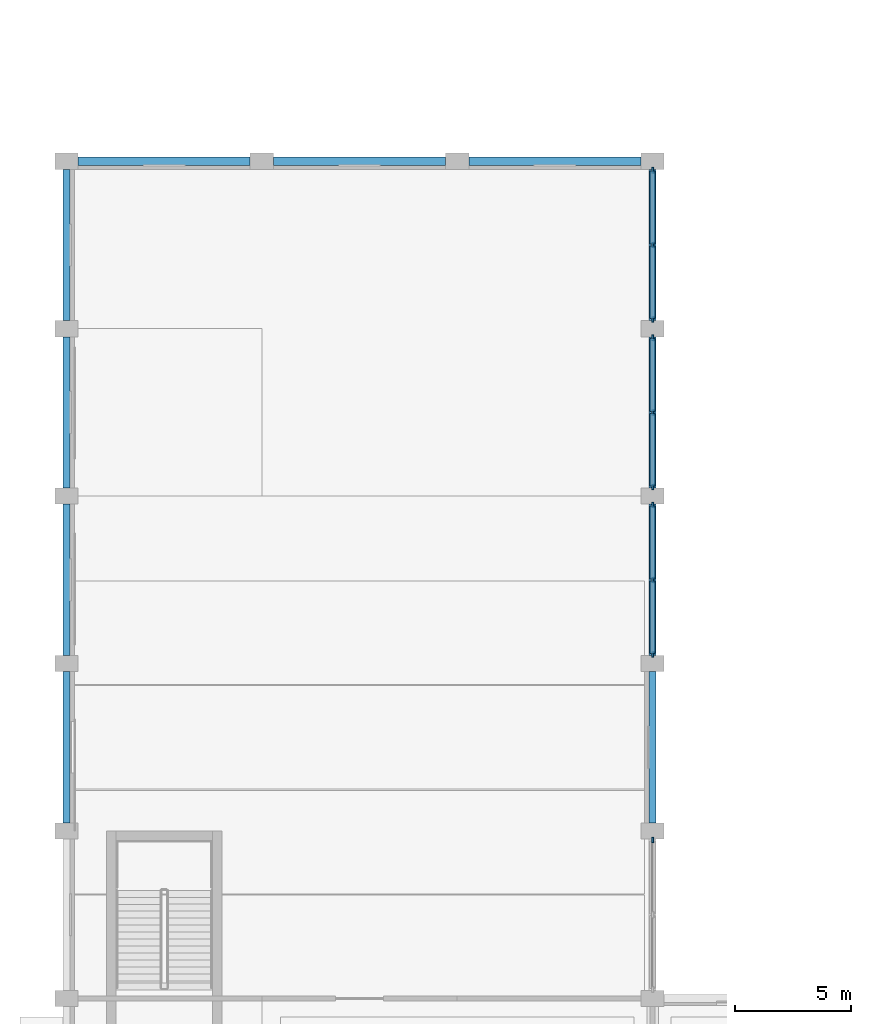
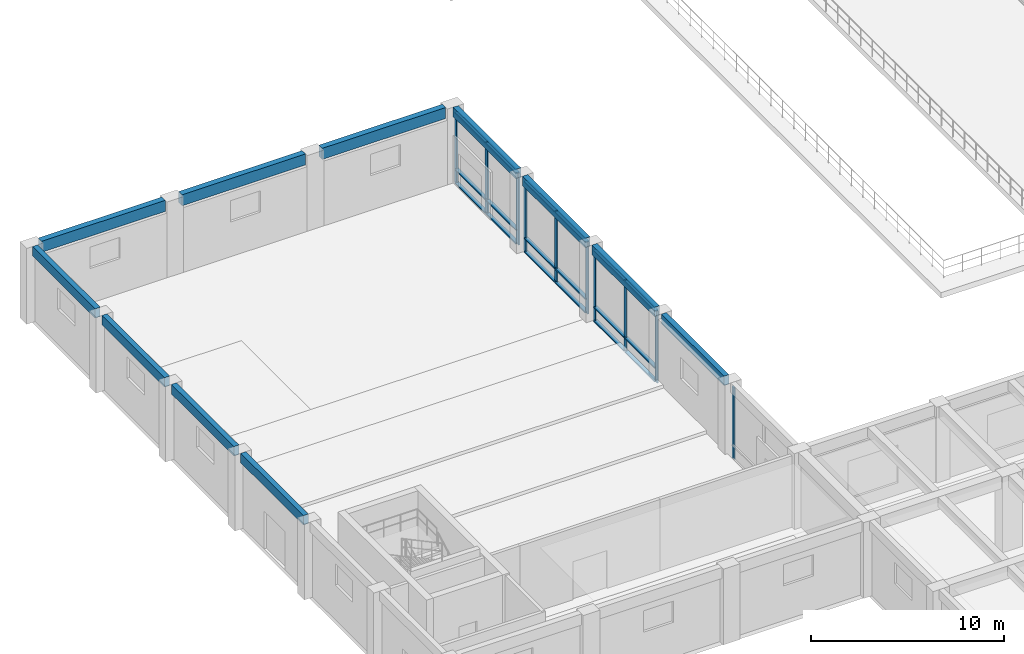
# One storey, part 6 of 49: 28 members, 11 beams, 4 elements without a shape of their own.
"""IFC4 building model written with IfcOpenShell, lengths in metres."""

from ifc_helpers import new_model, si_unit, direction, frame, origin, origin_2d, place, context, subcontext, project, spatial, rectangle, extrude, material, material_profile, profile_set, type_object, element, aggregate, save


model = new_model("IFC4")

# Units and contexts
model_context = context("Model", 3, precision=1e-05, world=origin(), true_north=direction((0.0, 1.0)))
body_context = subcontext(model_context, "Body", "Model", "MODEL_VIEW")
ifc_project = project(units=[si_unit("LENGTHUNIT", "METRE"), si_unit("AREAUNIT", "SQUARE_METRE"), si_unit("VOLUMEUNIT", "CUBIC_METRE"), si_unit("PLANEANGLEUNIT", "RADIAN"), si_unit("MASSUNIT", "GRAM", prefix="KILO")], contexts=[model_context])

# Site, building, storey
site_placement = place(None, origin())
site = spatial("IfcSite", under=ifc_project, at=site_placement, CompositionType="ELEMENT")
building_placement = place(site_placement, origin())
building = spatial("IfcBuilding", under=site, at=building_placement, Name="Kenerak Square Central Library", CompositionType="ELEMENT")
storey_placement = place(building_placement, origin())
storey = spatial("IfcBuildingStorey", under=building, at=storey_placement, Name="L00", CompositionType="ELEMENT", Elevation=0.0)

# Beams
ifc_material_1 = material(Name="Concrete C40/50", Category="concrete")
ifc_material_profile_1 = material_profile(ifc_material_1, rectangle(XDim=0.300048828125, YDim=0.60009765625, at=origin_2d()), Name="RC 300x600")
ifc_profile_set_1 = profile_set([ifc_material_profile_1], Name="Concrete C40/50")
beam_type_1 = type_object("IfcBeamType", Name="Courtyard Spandrel Beam SP-02 RC 300x600 C40/50", PredefinedType="SPANDREL", material=ifc_profile_set_1)
for number, where, z_axis, x_axis, name in (
    (1, (8.0, 45.949951171875, 4.5), (0.0, 1.0, 0.0), (-1.0, 0.0, 0.0), "Beam SP-02 L00 0593"),
    (2, (8.0, 53.14990234375, 4.5), (0.0, 1.0, 0.0), (-1.0, 0.0, 0.0), "Beam SP-02 L00 0594"),
    (3, (8.0, 60.35009765625, 4.5), (0.0, 1.0, 0.0), (-1.0, 0.0, 0.0), "Beam SP-02 L00 0595"),
    (4, (8.0, 67.550048828125, 4.5), (0.0, 1.0, 0.0), (-1.0, 0.0, 0.0), "Beam SP-02 L00 0596"),
    (5, (33.199951171875, 45.949951171875, 4.5), (0.0, 1.0, 0.0), (-1.0, 0.0, 0.0), "Beam SP-02 L00 0601"),
    (6, (33.199951171875, 53.14990234375, 4.5), (0.0, 1.0, 0.0), (-1.0, 0.0, 0.0), "Beam SP-02 L00 0602"),
    (7, (33.199951171875, 60.35009765625, 4.5), (0.0, 1.0, 0.0), (-1.0, 0.0, 0.0), "Beam SP-02 L00 0603"),
    (8, (33.199951171875, 67.550048828125, 4.5), (0.0, 1.0, 0.0), (-1.0, 0.0, 0.0), "Beam SP-02 L00 0604"),
):
    element("IfcBeam", number, at=place(storey_placement, frame(where, z_axis=z_axis, x_axis=x_axis)), inside=storey, type_object=beam_type_1, Name=name, PredefinedType="SPANDREL", context=body_context, shape_type="SweptSolid", body=[
        extrude(rectangle(XDim=0.300048828125, YDim=0.60009765625, at=origin_2d()), origin(), (0.0, 0.0, 1.0), 6.5),
    ])

# Curtain wall, members
ifc_material_2 = material(Name="Anodised aluminium and solar-control low-E glazing", Category="aluminium")
curtain_wall_type = type_object("IfcCurtainWallType", Name="Curtain Wall CW-V3-65x45 6500x4525", PredefinedType="USERDEFINED", material=ifc_material_2)
curtain_wall_1_placement = place(storey_placement, origin())
curtain_wall_1 = element("IfcCurtainWall", 9, at=curtain_wall_1_placement, inside=storey, type_object=curtain_wall_type, Name="Curtain Wall CW-V3-65x45 L00 0017", ObjectType="CURTAIN WALL", PredefinedType="USERDEFINED")
ifc_material_3 = material(Name="Anodised aluminium 6063-T6", Category="aluminium")
ifc_material_profile_2 = material_profile(ifc_material_3, rectangle(XDim=0.080078125, YDim=0.239990234375, at=origin_2d()), Name="AL MULLION 80x240")
ifc_profile_set_2 = profile_set([ifc_material_profile_2], Name="Anodised aluminium 6063-T6")
member_type_1 = type_object("IfcMemberType", Name="Curtain Mullion CM-04 80x240", PredefinedType="MULLION", material=ifc_profile_set_2)
member_1_placement = place(storey_placement, frame((33.199951171875, 74.010009765625, 0.0), z_axis=(0.0, 0.0, 1.0), x_axis=(1.0, 0.0, 0.0)))
member_1 = element("IfcMember", 10, at=member_1_placement, type_object=member_type_1, Name="CW-V3-65x45 Mullion 1", PredefinedType="MULLION", context=body_context, shape_type="SweptSolid", body=[
    extrude(rectangle(XDim=0.080078125, YDim=0.239990234375, at=origin_2d()), origin(), (0.0, 0.0, 1.0), 4.52490234375),
])
member_2_placement = place(storey_placement, frame((33.199951171875, 70.800048828125, 0.0), z_axis=(0.0, 0.0, 1.0), x_axis=(1.0, 0.0, 0.0)))
member_2 = element("IfcMember", 11, at=member_2_placement, type_object=member_type_1, Name="CW-V3-65x45 Mullion 2", PredefinedType="MULLION", context=body_context, shape_type="SweptSolid", body=[
    extrude(rectangle(XDim=0.080078125, YDim=0.239990234375, at=origin_2d()), origin(), (0.0, 0.0, 1.0), 4.52490234375),
])
member_3_placement = place(storey_placement, frame((33.199951171875, 67.590087890625, 0.0), z_axis=(0.0, 0.0, 1.0), x_axis=(1.0, 0.0, 0.0)))
member_3 = element("IfcMember", 12, at=member_3_placement, type_object=member_type_1, Name="CW-V3-65x45 Mullion 3", PredefinedType="MULLION", context=body_context, shape_type="SweptSolid", body=[
    extrude(rectangle(XDim=0.080078125, YDim=0.239990234375, at=origin_2d()), origin(), (0.0, 0.0, 1.0), 4.52490234375),
])

curtain_wall_2_placement = place(storey_placement, origin())
curtain_wall_2 = element("IfcCurtainWall", 13, at=curtain_wall_2_placement, inside=storey, type_object=curtain_wall_type, Name="Curtain Wall CW-V3-65x45 L00 0018", ObjectType="CURTAIN WALL", PredefinedType="USERDEFINED")
member_4_placement = place(storey_placement, frame((33.199951171875, 66.81005859375, 0.0), z_axis=(0.0, 0.0, 1.0), x_axis=(1.0, 0.0, 0.0)))
member_4 = element("IfcMember", 14, at=member_4_placement, type_object=member_type_1, Name="CW-V3-65x45 Mullion 1", PredefinedType="MULLION", context=body_context, shape_type="SweptSolid", body=[
    extrude(rectangle(XDim=0.080078125, YDim=0.239990234375, at=origin_2d()), origin(), (0.0, 0.0, 1.0), 4.52490234375),
])
member_5_placement = place(storey_placement, frame((33.199951171875, 63.60009765625, 0.0), z_axis=(0.0, 0.0, 1.0), x_axis=(1.0, 0.0, 0.0)))
member_5 = element("IfcMember", 15, at=member_5_placement, type_object=member_type_1, Name="CW-V3-65x45 Mullion 2", PredefinedType="MULLION", context=body_context, shape_type="SweptSolid", body=[
    extrude(rectangle(XDim=0.080078125, YDim=0.239990234375, at=origin_2d()), origin(), (0.0, 0.0, 1.0), 4.52490234375),
])
member_6_placement = place(storey_placement, frame((33.199951171875, 60.389892578125, 0.0), z_axis=(0.0, 0.0, 1.0), x_axis=(1.0, 0.0, 0.0)))
member_6 = element("IfcMember", 16, at=member_6_placement, type_object=member_type_1, Name="CW-V3-65x45 Mullion 3", PredefinedType="MULLION", context=body_context, shape_type="SweptSolid", body=[
    extrude(rectangle(XDim=0.080078125, YDim=0.239990234375, at=origin_2d()), origin(), (0.0, 0.0, 1.0), 4.52490234375),
])

curtain_wall_3_placement = place(storey_placement, origin())
curtain_wall_3 = element("IfcCurtainWall", 17, at=curtain_wall_3_placement, inside=storey, type_object=curtain_wall_type, Name="Curtain Wall CW-V3-65x45 L00 0019", ObjectType="CURTAIN WALL", PredefinedType="USERDEFINED")
member_7_placement = place(storey_placement, frame((33.199951171875, 59.610107421875, 0.0), z_axis=(0.0, 0.0, 1.0), x_axis=(1.0, 0.0, 0.0)))
member_7 = element("IfcMember", 18, at=member_7_placement, type_object=member_type_1, Name="CW-V3-65x45 Mullion 1", PredefinedType="MULLION", context=body_context, shape_type="SweptSolid", body=[
    extrude(rectangle(XDim=0.080078125, YDim=0.239990234375, at=origin_2d()), origin(), (0.0, 0.0, 1.0), 4.52490234375),
])
member_8_placement = place(storey_placement, frame((33.199951171875, 56.39990234375, 0.0), z_axis=(0.0, 0.0, 1.0), x_axis=(1.0, 0.0, 0.0)))
member_8 = element("IfcMember", 19, at=member_8_placement, type_object=member_type_1, Name="CW-V3-65x45 Mullion 2", PredefinedType="MULLION", context=body_context, shape_type="SweptSolid", body=[
    extrude(rectangle(XDim=0.080078125, YDim=0.239990234375, at=origin_2d()), origin(), (0.0, 0.0, 1.0), 4.52490234375),
])
member_9_placement = place(storey_placement, frame((33.199951171875, 53.18994140625, 0.0), z_axis=(0.0, 0.0, 1.0), x_axis=(1.0, 0.0, 0.0)))
member_9 = element("IfcMember", 20, at=member_9_placement, type_object=member_type_1, Name="CW-V3-65x45 Mullion 3", PredefinedType="MULLION", context=body_context, shape_type="SweptSolid", body=[
    extrude(rectangle(XDim=0.080078125, YDim=0.239990234375, at=origin_2d()), origin(), (0.0, 0.0, 1.0), 4.52490234375),
])

# Curtain wall, member
curtain_wall_4_placement = place(storey_placement, origin())
curtain_wall_4 = element("IfcCurtainWall", 21, at=curtain_wall_4_placement, inside=storey, type_object=curtain_wall_type, Name="Curtain Wall CW-V3-65x45 L00 0020", ObjectType="CURTAIN WALL", PredefinedType="USERDEFINED")
member_10_placement = place(storey_placement, frame((33.199951171875, 45.2099609375, 0.0), z_axis=(0.0, 0.0, 1.0), x_axis=(1.0, 0.0, 0.0)))
member_10 = element("IfcMember", 22, at=member_10_placement, type_object=member_type_1, Name="CW-V3-65x45 Mullion 1", PredefinedType="MULLION", context=body_context, shape_type="SweptSolid", body=[
    extrude(rectangle(XDim=0.080078125, YDim=0.239990234375, at=origin_2d()), origin(), (0.0, 0.0, 1.0), 4.52490234375),
])
aggregate(curtain_wall_4, [member_10])

# Member
ifc_material_profile_3 = material_profile(ifc_material_3, rectangle(XDim=0.219970703125, YDim=0.080078125, at=origin_2d()), Name="AL TRANSOM 220x80")
ifc_profile_set_3 = profile_set([ifc_material_profile_3], Name="Anodised aluminium 6063-T6")
member_type_2 = type_object("IfcMemberType", Name="Curtain Transom CT-14 220x80", PredefinedType="USERDEFINED", material=ifc_profile_set_3)
member_11_placement = place(storey_placement, frame((33.199951171875, 73.969970703125, 0.0400390625), z_axis=(0.0, -1.0, 0.0), x_axis=(1.0, 0.0, 0.0)))
member_11 = element("IfcMember", 23, at=member_11_placement, type_object=member_type_2, Name="CW-V3-65x45 Transom 1.1", ObjectType="TRANSOM", PredefinedType="USERDEFINED", context=body_context, shape_type="SweptSolid", body=[
    extrude(rectangle(XDim=0.219970703125, YDim=0.080078125, at=origin_2d()), origin(), (0.0, 0.0, 1.0), 3.1298828125),
])

member_12_placement = place(storey_placement, frame((33.199951171875, 73.969970703125, 0.89990234375), z_axis=(0.0, -1.0, 0.0), x_axis=(1.0, 0.0, 0.0)))
member_12 = element("IfcMember", 24, at=member_12_placement, type_object=member_type_2, Name="CW-V3-65x45 Transom 1.2", ObjectType="TRANSOM", PredefinedType="USERDEFINED", context=body_context, shape_type="SweptSolid", body=[
    extrude(rectangle(XDim=0.219970703125, YDim=0.080078125, at=origin_2d()), origin(), (0.0, 0.0, 1.0), 3.1298828125),
])

member_13_placement = place(storey_placement, frame((33.199951171875, 73.969970703125, 4.485107421875), z_axis=(0.0, -1.0, 0.0), x_axis=(1.0, 0.0, 0.0)))
member_13 = element("IfcMember", 25, at=member_13_placement, type_object=member_type_2, Name="CW-V3-65x45 Transom 1.3", ObjectType="TRANSOM", PredefinedType="USERDEFINED", context=body_context, shape_type="SweptSolid", body=[
    extrude(rectangle(XDim=0.219970703125, YDim=0.080078125, at=origin_2d()), origin(), (0.0, 0.0, 1.0), 3.1298828125),
])

member_14_placement = place(storey_placement, frame((33.199951171875, 70.760009765625, 0.0400390625), z_axis=(0.0, -1.0, 0.0), x_axis=(1.0, 0.0, 0.0)))
member_14 = element("IfcMember", 26, at=member_14_placement, type_object=member_type_2, Name="CW-V3-65x45 Transom 2.1", ObjectType="TRANSOM", PredefinedType="USERDEFINED", context=body_context, shape_type="SweptSolid", body=[
    extrude(rectangle(XDim=0.219970703125, YDim=0.080078125, at=origin_2d()), origin(), (0.0, 0.0, 1.0), 3.130126953125),
])

member_15_placement = place(storey_placement, frame((33.199951171875, 70.760009765625, 0.89990234375), z_axis=(0.0, -1.0, 0.0), x_axis=(1.0, 0.0, 0.0)))
member_15 = element("IfcMember", 27, at=member_15_placement, type_object=member_type_2, Name="CW-V3-65x45 Transom 2.2", ObjectType="TRANSOM", PredefinedType="USERDEFINED", context=body_context, shape_type="SweptSolid", body=[
    extrude(rectangle(XDim=0.219970703125, YDim=0.080078125, at=origin_2d()), origin(), (0.0, 0.0, 1.0), 3.130126953125),
])

member_16_placement = place(storey_placement, frame((33.199951171875, 70.760009765625, 4.485107421875), z_axis=(0.0, -1.0, 0.0), x_axis=(1.0, 0.0, 0.0)))
member_16 = element("IfcMember", 28, at=member_16_placement, type_object=member_type_2, Name="CW-V3-65x45 Transom 2.3", ObjectType="TRANSOM", PredefinedType="USERDEFINED", context=body_context, shape_type="SweptSolid", body=[
    extrude(rectangle(XDim=0.219970703125, YDim=0.080078125, at=origin_2d()), origin(), (0.0, 0.0, 1.0), 3.130126953125),
])

aggregate(curtain_wall_1, [member_1, member_2, member_3, member_11, member_12, member_13, member_14, member_15, member_16])

member_17_placement = place(storey_placement, frame((33.199951171875, 66.77001953125, 0.0400390625), z_axis=(0.0, -1.0, 0.0), x_axis=(1.0, 0.0, 0.0)))
member_17 = element("IfcMember", 29, at=member_17_placement, type_object=member_type_2, Name="CW-V3-65x45 Transom 1.1", ObjectType="TRANSOM", PredefinedType="USERDEFINED", context=body_context, shape_type="SweptSolid", body=[
    extrude(rectangle(XDim=0.219970703125, YDim=0.080078125, at=origin_2d()), origin(), (0.0, 0.0, 1.0), 3.130126953125),
])

member_18_placement = place(storey_placement, frame((33.199951171875, 66.77001953125, 0.89990234375), z_axis=(0.0, -1.0, 0.0), x_axis=(1.0, 0.0, 0.0)))
member_18 = element("IfcMember", 30, at=member_18_placement, type_object=member_type_2, Name="CW-V3-65x45 Transom 1.2", ObjectType="TRANSOM", PredefinedType="USERDEFINED", context=body_context, shape_type="SweptSolid", body=[
    extrude(rectangle(XDim=0.219970703125, YDim=0.080078125, at=origin_2d()), origin(), (0.0, 0.0, 1.0), 3.130126953125),
])

member_19_placement = place(storey_placement, frame((33.199951171875, 66.77001953125, 4.485107421875), z_axis=(0.0, -1.0, 0.0), x_axis=(1.0, 0.0, 0.0)))
member_19 = element("IfcMember", 31, at=member_19_placement, type_object=member_type_2, Name="CW-V3-65x45 Transom 1.3", ObjectType="TRANSOM", PredefinedType="USERDEFINED", context=body_context, shape_type="SweptSolid", body=[
    extrude(rectangle(XDim=0.219970703125, YDim=0.080078125, at=origin_2d()), origin(), (0.0, 0.0, 1.0), 3.130126953125),
])

member_20_placement = place(storey_placement, frame((33.199951171875, 63.56005859375, 0.0400390625), z_axis=(0.0, -1.0, 0.0), x_axis=(1.0, 0.0, 0.0)))
member_20 = element("IfcMember", 32, at=member_20_placement, type_object=member_type_2, Name="CW-V3-65x45 Transom 2.1", ObjectType="TRANSOM", PredefinedType="USERDEFINED", context=body_context, shape_type="SweptSolid", body=[
    extrude(rectangle(XDim=0.219970703125, YDim=0.080078125, at=origin_2d()), origin(), (0.0, 0.0, 1.0), 3.130126953125),
])

member_21_placement = place(storey_placement, frame((33.199951171875, 63.56005859375, 0.89990234375), z_axis=(0.0, -1.0, 0.0), x_axis=(1.0, 0.0, 0.0)))
member_21 = element("IfcMember", 33, at=member_21_placement, type_object=member_type_2, Name="CW-V3-65x45 Transom 2.2", ObjectType="TRANSOM", PredefinedType="USERDEFINED", context=body_context, shape_type="SweptSolid", body=[
    extrude(rectangle(XDim=0.219970703125, YDim=0.080078125, at=origin_2d()), origin(), (0.0, 0.0, 1.0), 3.130126953125),
])

member_22_placement = place(storey_placement, frame((33.199951171875, 63.56005859375, 4.485107421875), z_axis=(0.0, -1.0, 0.0), x_axis=(1.0, 0.0, 0.0)))
member_22 = element("IfcMember", 34, at=member_22_placement, type_object=member_type_2, Name="CW-V3-65x45 Transom 2.3", ObjectType="TRANSOM", PredefinedType="USERDEFINED", context=body_context, shape_type="SweptSolid", body=[
    extrude(rectangle(XDim=0.219970703125, YDim=0.080078125, at=origin_2d()), origin(), (0.0, 0.0, 1.0), 3.130126953125),
])

aggregate(curtain_wall_2, [member_4, member_5, member_6, member_17, member_18, member_19, member_20, member_21, member_22])

member_23_placement = place(storey_placement, frame((33.199951171875, 59.570068359375, 0.0400390625), z_axis=(0.0, -1.0, 0.0), x_axis=(1.0, 0.0, 0.0)))
member_23 = element("IfcMember", 35, at=member_23_placement, type_object=member_type_2, Name="CW-V3-65x45 Transom 1.1", ObjectType="TRANSOM", PredefinedType="USERDEFINED", context=body_context, shape_type="SweptSolid", body=[
    extrude(rectangle(XDim=0.219970703125, YDim=0.080078125, at=origin_2d()), origin(), (0.0, 0.0, 1.0), 3.130126953125),
])

member_24_placement = place(storey_placement, frame((33.199951171875, 59.570068359375, 0.89990234375), z_axis=(0.0, -1.0, 0.0), x_axis=(1.0, 0.0, 0.0)))
member_24 = element("IfcMember", 36, at=member_24_placement, type_object=member_type_2, Name="CW-V3-65x45 Transom 1.2", ObjectType="TRANSOM", PredefinedType="USERDEFINED", context=body_context, shape_type="SweptSolid", body=[
    extrude(rectangle(XDim=0.219970703125, YDim=0.080078125, at=origin_2d()), origin(), (0.0, 0.0, 1.0), 3.130126953125),
])

member_25_placement = place(storey_placement, frame((33.199951171875, 59.570068359375, 4.485107421875), z_axis=(0.0, -1.0, 0.0), x_axis=(1.0, 0.0, 0.0)))
member_25 = element("IfcMember", 37, at=member_25_placement, type_object=member_type_2, Name="CW-V3-65x45 Transom 1.3", ObjectType="TRANSOM", PredefinedType="USERDEFINED", context=body_context, shape_type="SweptSolid", body=[
    extrude(rectangle(XDim=0.219970703125, YDim=0.080078125, at=origin_2d()), origin(), (0.0, 0.0, 1.0), 3.130126953125),
])

member_26_placement = place(storey_placement, frame((33.199951171875, 56.360107421875, 0.0400390625), z_axis=(0.0, -1.0, 0.0), x_axis=(1.0, 0.0, 0.0)))
member_26 = element("IfcMember", 38, at=member_26_placement, type_object=member_type_2, Name="CW-V3-65x45 Transom 2.1", ObjectType="TRANSOM", PredefinedType="USERDEFINED", context=body_context, shape_type="SweptSolid", body=[
    extrude(rectangle(XDim=0.219970703125, YDim=0.080078125, at=origin_2d()), origin(), (0.0, 0.0, 1.0), 3.130126953125),
])

member_27_placement = place(storey_placement, frame((33.199951171875, 56.360107421875, 0.89990234375), z_axis=(0.0, -1.0, 0.0), x_axis=(1.0, 0.0, 0.0)))
member_27 = element("IfcMember", 39, at=member_27_placement, type_object=member_type_2, Name="CW-V3-65x45 Transom 2.2", ObjectType="TRANSOM", PredefinedType="USERDEFINED", context=body_context, shape_type="SweptSolid", body=[
    extrude(rectangle(XDim=0.219970703125, YDim=0.080078125, at=origin_2d()), origin(), (0.0, 0.0, 1.0), 3.130126953125),
])

member_28_placement = place(storey_placement, frame((33.199951171875, 56.360107421875, 4.485107421875), z_axis=(0.0, -1.0, 0.0), x_axis=(1.0, 0.0, 0.0)))
member_28 = element("IfcMember", 40, at=member_28_placement, type_object=member_type_2, Name="CW-V3-65x45 Transom 2.3", ObjectType="TRANSOM", PredefinedType="USERDEFINED", context=body_context, shape_type="SweptSolid", body=[
    extrude(rectangle(XDim=0.219970703125, YDim=0.080078125, at=origin_2d()), origin(), (0.0, 0.0, 1.0), 3.130126953125),
])

aggregate(curtain_wall_3, [member_7, member_8, member_9, member_23, member_24, member_25, member_26, member_27, member_28])

# Beams
ifc_material_profile_4 = material_profile(ifc_material_1, rectangle(XDim=0.35009765625, YDim=0.699951171875, at=origin_2d()), Name="RC 350x700")
ifc_profile_set_4 = profile_set([ifc_material_profile_4], Name="Concrete C40/50")
beam_type_2 = type_object("IfcBeamType", Name="Expressed Spandrel Beam SP-01 RC 350x700 C40/50", PredefinedType="SPANDREL", material=ifc_profile_set_4)
beam_1_placement = place(storey_placement, frame((8.5, 74.39990234375, 4.449951171875), z_axis=(1.0, 0.0, 0.0), x_axis=(0.0, 1.0, 0.0)))
element("IfcBeam", 41, at=beam_1_placement, inside=storey, type_object=beam_type_2, Name="Beam SP-01 L00 0537", PredefinedType="SPANDREL", context=body_context, shape_type="SweptSolid", body=[
    extrude(rectangle(XDim=0.35009765625, YDim=0.699951171875, at=origin_2d()), origin(), (0.0, 0.0, 1.0), 7.39990234375),
])
beam_2_placement = place(storey_placement, frame((16.89990234375, 74.39990234375, 4.449951171875), z_axis=(1.0, 0.0, 0.0), x_axis=(0.0, 1.0, 0.0)))
element("IfcBeam", 42, at=beam_2_placement, inside=storey, type_object=beam_type_2, Name="Beam SP-01 L00 0538", PredefinedType="SPANDREL", context=body_context, shape_type="SweptSolid", body=[
    extrude(rectangle(XDim=0.35009765625, YDim=0.699951171875, at=origin_2d()), origin(), (0.0, 0.0, 1.0), 7.400146484375),
])
beam_3_placement = place(storey_placement, frame((25.300048828125, 74.39990234375, 4.449951171875), z_axis=(1.0, 0.0, 0.0), x_axis=(0.0, 1.0, 0.0)))
element("IfcBeam", 43, at=beam_3_placement, inside=storey, type_object=beam_type_2, Name="Beam SP-01 L00 0539", PredefinedType="SPANDREL", context=body_context, shape_type="SweptSolid", body=[
    extrude(rectangle(XDim=0.35009765625, YDim=0.699951171875, at=origin_2d()), origin(), (0.0, 0.0, 1.0), 7.39990234375),
])

save(model, "model.ifc")
